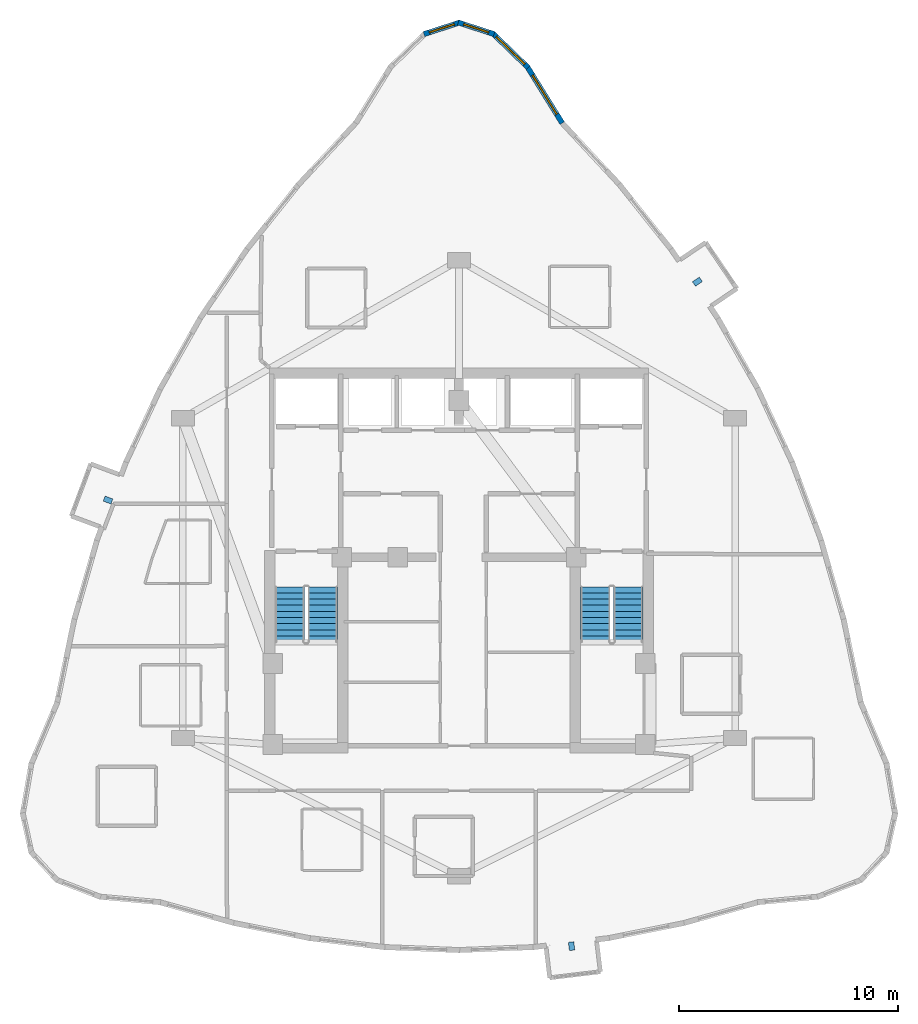
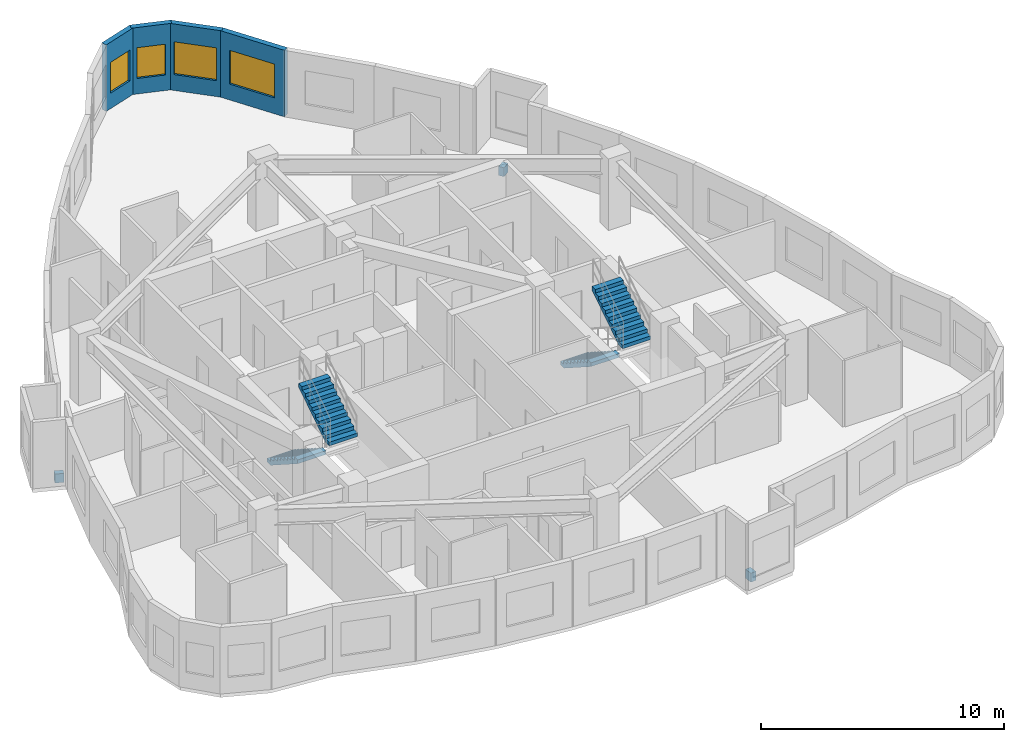
# One storey, part 8 of 9: 4 stair flights, 4 walls, 4 windows, 3 discrete accessories, 4 openings, 2 elements without a shape of their own.
"""IFC4 building model written with IfcOpenShell, lengths in metres."""

import ifcopenshell
import ifcopenshell.guid

model = None  # the IFC model being written
_history = None  # IfcOwnerHistory: only IFC2X3 demands one
_inside = {}  # id of a spatial element -> (the spatial element, [elements in it])
_under = {}  # id of a project, library or spatial element -> (it, [spatial elements below it])
_declared = {}  # id of a project -> (the project, [libraries it declares])
_typed = {}  # id of a type object -> (the type object, [elements of that type])
_made_of = {}  # id of a material, layer set ... -> (it, [elements and type objects made of it])


def new_model(schema):
    """Start an empty IFC model of exactly this schema.

    Asked for "IFC4X3", IfcOpenShell would pick the latest addendum, in which some entities
    have other attributes; the version numbers below select the first issue.
    IFC2X3 requires an IfcOwnerHistory on every rooted entity: one is made here for all.
    """
    global model, _history
    if schema == "IFC4X3":
        model = ifcopenshell.file(schema_version=(4, 3, 0, 0))
    else:
        model = ifcopenshell.file(schema=schema)
    _inside.clear()
    _under.clear()
    _declared.clear()
    _typed.clear()
    _made_of.clear()
    _history = None
    if model.schema == "IFC2X3":
        org = make("IfcOrganization", Name="unknown")
        user = make(
            "IfcPersonAndOrganization",
            ThePerson=make("IfcPerson", FamilyName="unknown"),
            TheOrganization=org,
        )
        app = make(
            "IfcApplication",
            ApplicationDeveloper=org,
            Version="unknown",
            ApplicationFullName="unknown",
            ApplicationIdentifier="unknown",
        )
        _history = make(
            "IfcOwnerHistory",
            OwningUser=user,
            OwningApplication=app,
            ChangeAction="ADDED",
            CreationDate=0,
        )
    return model


def make(cls, **values):
    """One entity of the class cls with the attributes given. An attribute that is None is left unset."""
    return model.create_entity(
        cls, **{name: value for name, value in values.items() if value is not None}
    )


def rooted(cls, **values):
    """An entity with a GlobalId (a new one), such as an element, a storey or a relation."""
    return make(cls, GlobalId=ifcopenshell.guid.new(), OwnerHistory=_history, **values)


def si_unit(unit_type, name, prefix=None):
    """IfcSIUnit, for example si_unit("LENGTHUNIT", "METRE", prefix="MILLI")."""
    return make("IfcSIUnit", UnitType=unit_type, Prefix=prefix, Name=name)


def assignment(units):
    """IfcUnitAssignment: the units of a project."""
    return None if units is None else make("IfcUnitAssignment", Units=units)


def point(xyz):
    """IfcCartesianPoint."""
    return None if xyz is None else make("IfcCartesianPoint", Coordinates=xyz)


def direction(xyz):
    """IfcDirection."""
    return None if xyz is None else make("IfcDirection", DirectionRatios=xyz)


def frame(location, z_axis=None, x_axis=None):
    """IfcAxis2Placement3D, a coordinate frame: its origin and axes. An axis left out is left unset."""
    return make(
        "IfcAxis2Placement3D",
        Location=point(location),
        Axis=direction(z_axis),
        RefDirection=direction(x_axis),
    )


def frame_2d(location, x_axis=None):
    """IfcAxis2Placement2D, a coordinate frame in the plane: its origin and x axis."""
    return make(
        "IfcAxis2Placement2D", Location=point(location), RefDirection=direction(x_axis)
    )


def origin():
    """The frame at (0, 0, 0) with its axes left unset."""
    return frame((0.0, 0.0, 0.0))


def origin_2d():
    """The frame at (0, 0) in the plane with its x axis left unset."""
    return frame_2d((0.0, 0.0))


def place(relative_to, where):
    """IfcLocalPlacement: puts the frame where relative to a parent placement (None: the world)."""
    return make(
        "IfcLocalPlacement", PlacementRelTo=relative_to, RelativePlacement=where
    )


def context(
    kind, dimensions, precision=None, world=None, true_north=None, identifier=None
):
    """IfcGeometricRepresentationContext, for example the 3D "Model" context."""
    return make(
        "IfcGeometricRepresentationContext",
        ContextIdentifier=identifier,
        ContextType=kind,
        CoordinateSpaceDimension=dimensions,
        Precision=precision,
        WorldCoordinateSystem=world,
        TrueNorth=true_north,
    )


def subcontext(parent, identifier, kind, view, scale=None):
    """IfcGeometricRepresentationSubContext, for example "Body" below "Model"."""
    return make(
        "IfcGeometricRepresentationSubContext",
        ContextIdentifier=identifier,
        ContextType=kind,
        ParentContext=parent,
        TargetScale=scale,
        TargetView=view,
    )


def project(units=None, contexts=None):
    """IfcProject with its units and contexts."""
    return rooted(
        "IfcProject",
        Name="project",
        RepresentationContexts=contexts,
        UnitsInContext=assignment(units),
    )


def spatial(cls, under=None, at=None, **own):
    """A site, building, storey or space (cls), placed at a placement, below another one or the project."""
    s = rooted(cls, ObjectPlacement=at, **own)
    if under is not None:
        _under.setdefault(under.id(), (under, []))[1].append(s)
    return s


def polyline(points):
    """IfcPolyline through the points."""
    return make("IfcPolyline", Points=[point(p) for p in points])


def profile(cls, at=None, kind="AREA", **sizes):
    """A parametric profile (cls). Its sizes go by their IFC names, for example OverallWidth=200.0."""
    return make(cls, ProfileType=kind, Position=at, **sizes)


def rectangle(**sizes):
    """IfcRectangleProfileDef."""
    return profile("IfcRectangleProfileDef", **sizes)


def outline(outer, holes=None, kind="AREA"):
    """IfcArbitraryClosedProfileDef: a profile drawn as a closed curve; with holes, ...WithVoids."""
    if holes is None:
        return make("IfcArbitraryClosedProfileDef", ProfileType=kind, OuterCurve=outer)
    return make(
        "IfcArbitraryProfileDefWithVoids",
        ProfileType=kind,
        OuterCurve=outer,
        InnerCurves=holes,
    )


def extrude(swept, where, along, depth):
    """IfcExtrudedAreaSolid: the profile swept, set in the frame where, extruded along a direction by depth."""
    return make(
        "IfcExtrudedAreaSolid",
        SweptArea=swept,
        Position=where,
        ExtrudedDirection=direction(along),
        Depth=depth,
    )


def shape(context_of_items, identifier, shape_type, items):
    """IfcShapeRepresentation: the items that make up one representation, for example the "Body"."""
    return make(
        "IfcShapeRepresentation",
        ContextOfItems=context_of_items,
        RepresentationIdentifier=identifier,
        RepresentationType=shape_type,
        Items=items,
    )


def material(Name=None, Category=None):
    """IfcMaterial."""
    return make("IfcMaterial", Name=Name, Category=Category)


def layer(
    of_material, thickness, ventilated=None, Name=None, Category=None, Priority=None
):
    """IfcMaterialLayer: one layer of a wall or slab, of a material (None: an air gap)."""
    return make(
        "IfcMaterialLayer",
        Material=of_material,
        LayerThickness=thickness,
        IsVentilated=ventilated,
        Name=Name,
        Category=Category,
        Priority=Priority,
    )


def layer_set(layers, Name=None):
    """IfcMaterialLayerSet."""
    return make("IfcMaterialLayerSet", MaterialLayers=layers, LayerSetName=Name)


def made_of(thing, what):
    """Note that an element or type object is made of a material, layer set ...; save() writes the relation."""
    if what is not None:
        _made_of.setdefault(what.id(), (what, []))[1].append(thing)
    return thing


def type_object(cls, material=None, **own):
    """A type object (cls), such as IfcWallType, which elements share."""
    return made_of(rooted(cls, **own), material)


def element(
    cls,
    number,
    at=None,
    inside=None,
    cuts=None,
    type_object=None,
    material=None,
    context=None,
    identifier="Body",
    shape_type=None,
    held_by="IfcProductDefinitionShape",
    body=None,
    shapes=None,
    **own,
):
    """One element of the class cls, such as IfcWall. Its Tag is "e" and its number.

    at: its placement. inside: the storey or other place that contains it. cuts: it is an
    opening in that element (IfcRelVoidsElement). A single representation is given by context,
    identifier, shape_type and body (its items); several are given by shapes. held_by: the class
    of the entity that holds the representations. save() writes the other relations.
    """
    e = rooted(cls, Tag="e%d" % number, ObjectPlacement=at, **own)
    if body is not None:
        shapes = [shape(context, identifier, shape_type, body)]
    if shapes is not None:
        e.Representation = make(held_by, Representations=shapes)
    if inside is not None:
        _inside.setdefault(inside.id(), (inside, []))[1].append(e)
    if cuts is not None:
        rooted(
            "IfcRelVoidsElement", RelatingBuildingElement=cuts, RelatedOpeningElement=e
        )
    if type_object is not None:
        _typed.setdefault(type_object.id(), (type_object, []))[1].append(e)
    return made_of(e, material)


def fill(opening, filler):
    """IfcRelFillsElement: the door or window that sits in an opening."""
    return rooted(
        "IfcRelFillsElement",
        RelatingOpeningElement=opening,
        RelatedBuildingElement=filler,
    )


def aggregate(whole, parts):
    """IfcRelAggregates: a whole, such as a stair, and the parts it consists of."""
    return rooted("IfcRelAggregates", RelatingObject=whole, RelatedObjects=parts)


def save(model, path):
    """Write the relations noted so far, then the file.

    IfcRelAggregates (storeys below a building ...), IfcRelContainedInSpatialStructure (elements
    in a storey), IfcRelDefinesByType, IfcRelAssociatesMaterial and IfcRelDeclares: one each for
    every whole, place, type object, material and project.
    """
    for whole, parts in _under.values():
        aggregate(whole, parts)
    for where, things in _inside.values():
        rooted(
            "IfcRelContainedInSpatialStructure",
            RelatedElements=things,
            RelatingStructure=where,
        )
    for kind, things in _typed.values():
        rooted("IfcRelDefinesByType", RelatedObjects=things, RelatingType=kind)
    for what, things in _made_of.values():
        rooted("IfcRelAssociatesMaterial", RelatedObjects=things, RelatingMaterial=what)
    for by, libraries in _declared.values():
        rooted("IfcRelDeclares", RelatingContext=by, RelatedDefinitions=libraries)
    model.write(path)


model = new_model("IFC4")

# Units and contexts
model_context = context("Model", 3, precision=1e-05, world=origin(), true_north=direction((0.0, 1.0)))
body_context = subcontext(model_context, "Body", "Model", "MODEL_VIEW")
ifc_project = project(units=[si_unit("LENGTHUNIT", "METRE"), si_unit("AREAUNIT", "SQUARE_METRE"), si_unit("VOLUMEUNIT", "CUBIC_METRE"), si_unit("PLANEANGLEUNIT", "RADIAN"), si_unit("MASSUNIT", "GRAM", prefix="KILO")], contexts=[model_context])

# Site, building, storey
site_placement = place(None, origin())
site = spatial("IfcSite", under=ifc_project, at=site_placement, CompositionType="ELEMENT")
building_placement = place(site_placement, origin())
building = spatial("IfcBuilding", under=site, at=building_placement, Name="Miruveldt Soraemaru", CompositionType="ELEMENT")
storey_placement = place(building_placement, frame((0.0, 0.0, 244.800048828125)))
storey = spatial("IfcBuildingStorey", under=building, at=storey_placement, Name="L67", CompositionType="ELEMENT", Elevation=244.800048828125)

# Wall, opening, window
ifc_material_1 = material(Name="Precast concrete C45/55 (45 MPa)", Category="concrete")
ifc_layer = layer(ifc_material_1, 0.239990234375, Name="Precast concrete C45/55 (45 MPa)", Category="concrete")
ifc_layer_set = layer_set([ifc_layer], Name="Precast concrete C45/55 (45 MPa)")
wall_type = type_object("IfcWallType", Name="WALL-EXT-PC240", PredefinedType="SOLIDWALL", material=ifc_layer_set)
wall_1_placement = place(storey_placement, frame((48.7109375, 63.859375, 0.0), z_axis=(0.0, 0.0, 1.0), x_axis=(-0.526092225985, 0.850427521755, 0.0)))
wall_1 = element("IfcWall", 1, at=wall_1_placement, inside=storey, type_object=wall_type, Name="L67 Precast Concrete Facade Wall 1", PredefinedType="SOLIDWALL", context=body_context, shape_type="SweptSolid", body=[
    extrude(rectangle(XDim=3.043212890625, YDim=0.239990234375, at=frame_2d((1.521484375, 0.0))), origin(), (0.0, 0.0, 1.0), 3.344970703125),
])
opening_1_placement = place(wall_1_placement, frame((0.471923828125, 0.0, 0.800048828125)))
opening_1 = element("IfcOpeningElement", 2, at=opening_1_placement, cuts=wall_1, Name="Opening WN-1", PredefinedType="OPENING", context=body_context, shape_type="SweptSolid", body=[
    extrude(rectangle(XDim=2.10009765625, YDim=1.699951171875, at=frame_2d((1.050048828125, 0.85009765625))), frame((0.0, 0.1298828125, 0.0), z_axis=(0.0, -1.0, 0.0), x_axis=(1.0, 0.0, 0.0)), (0.0, 0.0, 1.0), 0.260009765625),
])
ifc_material_2 = material(Name="Triple low-e insulated glazing", Category="glass")
window_type_1 = type_object("IfcWindowType", Name="WIN-PUNCH-2100x1700", PartitioningType="SINGLE_PANEL", PredefinedType="WINDOW", material=ifc_material_2)
window_1_placement = place(opening_1_placement, origin())
window_1 = element("IfcWindow", 3, at=window_1_placement, inside=storey, type_object=window_type_1, Name="L67 Punched Triple-Glazed Window 01.1", OverallHeight=1.699951171875, OverallWidth=2.10009765625, PartitioningType="SINGLE_PANEL", PredefinedType="WINDOW", context=body_context, shape_type="SweptSolid", body=[
    extrude(rectangle(XDim=2.10009765625, YDim=1.699951171875, at=frame_2d((1.050048828125, 0.85009765625))), frame((0.0, 0.030029296875, 0.0), z_axis=(0.0, -1.0, 0.0), x_axis=(1.0, 0.0, 0.0)), (0.0, 0.0, 1.0), 0.06005859375),
])
fill(opening_1, window_1)

wall_2_placement = place(storey_placement, frame((47.1533203125, 66.393310546875, 0.0), z_axis=(0.0, 0.0, 1.0), x_axis=(-0.717772148555, 0.696278064252, 0.0)))
wall_2 = element("IfcWall", 4, at=wall_2_placement, inside=storey, type_object=wall_type, Name="L67 Precast Concrete Facade Wall 2", PredefinedType="SOLIDWALL", context=body_context, shape_type="SweptSolid", body=[
    extrude(rectangle(XDim=2.2490234375, YDim=0.239990234375, at=frame_2d((1.12451171875, 0.0))), origin(), (0.0, 0.0, 1.0), 3.344970703125),
])
opening_2_placement = place(wall_2_placement, frame((0.22509765625, 0.0, 0.800048828125)))
opening_2 = element("IfcOpeningElement", 5, at=opening_2_placement, cuts=wall_2, Name="Opening WN-2", PredefinedType="OPENING", context=body_context, shape_type="SweptSolid", body=[
    extrude(rectangle(XDim=1.800048828125, YDim=1.64990234375, at=frame_2d((0.89990234375, 0.824951171875))), frame((0.0, 0.1298828125, 0.0), z_axis=(0.0, -1.0, 0.0), x_axis=(1.0, 0.0, 0.0)), (0.0, 0.0, 1.0), 0.260009765625),
])
window_type_2 = type_object("IfcWindowType", Name="WIN-PUNCH-1800x1650", PartitioningType="SINGLE_PANEL", PredefinedType="WINDOW", material=ifc_material_2)
window_2_placement = place(opening_2_placement, origin())
window_2 = element("IfcWindow", 6, at=window_2_placement, inside=storey, type_object=window_type_2, Name="L67 Punched Triple-Glazed Window 02.1", OverallHeight=1.64990234375, OverallWidth=1.800048828125, PartitioningType="SINGLE_PANEL", PredefinedType="WINDOW", context=body_context, shape_type="SweptSolid", body=[
    extrude(rectangle(XDim=1.800048828125, YDim=1.64990234375, at=frame_2d((0.89990234375, 0.824951171875))), frame((0.0, 0.030029296875, 0.0), z_axis=(0.0, -1.0, 0.0), x_axis=(1.0, 0.0, 0.0)), (0.0, 0.0, 1.0), 0.06005859375),
])
fill(opening_2, window_2)

wall_3_placement = place(storey_placement, frame((45.597412109375, 67.924072265625, 0.0), z_axis=(0.0, 0.0, 1.0), x_axis=(-0.951480098924, 0.307710288018, 0.0)))
wall_3 = element("IfcWall", 7, at=wall_3_placement, inside=storey, type_object=wall_type, Name="L67 Precast Concrete Facade Wall 3", PredefinedType="SOLIDWALL", context=body_context, shape_type="SweptSolid", body=[
    extrude(rectangle(XDim=1.7138671875, YDim=0.239990234375, at=frame_2d((0.85693359375, 0.0))), origin(), (0.0, 0.0, 1.0), 3.344970703125),
])
opening_3_placement = place(wall_3_placement, frame((0.257080078125, 0.0, 0.780029296875)))
opening_3 = element("IfcOpeningElement", 8, at=opening_3_placement, cuts=wall_3, Name="Opening WN-4", PredefinedType="OPENING", context=body_context, shape_type="SweptSolid", body=[
    extrude(rectangle(XDim=1.199951171875, YDim=1.550048828125, at=frame_2d((0.60009765625, 0.77490234375))), frame((0.0, 0.1298828125, 0.0), z_axis=(0.0, -1.0, 0.0), x_axis=(1.0, 0.0, 0.0)), (0.0, 0.0, 1.0), 0.260009765625),
])
window_type_3 = type_object("IfcWindowType", Name="WIN-PUNCH-1200x1550", PartitioningType="SINGLE_PANEL", PredefinedType="WINDOW", material=ifc_material_2)
window_3_placement = place(opening_3_placement, origin())
window_3 = element("IfcWindow", 9, at=window_3_placement, inside=storey, type_object=window_type_3, Name="L67 Punched Triple-Glazed Window 03.1", OverallHeight=1.550048828125, OverallWidth=1.199951171875, PartitioningType="SINGLE_PANEL", PredefinedType="WINDOW", context=body_context, shape_type="SweptSolid", body=[
    extrude(rectangle(XDim=1.199951171875, YDim=1.550048828125, at=frame_2d((0.60009765625, 0.77490234375))), frame((0.0, 0.030029296875, 0.0), z_axis=(0.0, -1.0, 0.0), x_axis=(1.0, 0.0, 0.0)), (0.0, 0.0, 1.0), 0.06005859375),
])
fill(opening_3, window_3)

wall_4_placement = place(storey_placement, frame((44.033203125, 68.451416015625, 0.0), z_axis=(0.0, 0.0, 1.0), x_axis=(-0.951480098924, -0.307710288018, 0.0)))
wall_4 = element("IfcWall", 10, at=wall_4_placement, inside=storey, type_object=wall_type, Name="L67 Precast Concrete Facade Wall 4", PredefinedType="SOLIDWALL", context=body_context, shape_type="SweptSolid", body=[
    extrude(rectangle(XDim=1.7138671875, YDim=0.239990234375, at=frame_2d((0.85693359375, 0.0))), origin(), (0.0, 0.0, 1.0), 3.344970703125),
])
opening_4_placement = place(wall_4_placement, frame((0.257080078125, 0.0, 0.780029296875)))
opening_4 = element("IfcOpeningElement", 11, at=opening_4_placement, cuts=wall_4, Name="Opening WN-4", PredefinedType="OPENING", context=body_context, shape_type="SweptSolid", body=[
    extrude(rectangle(XDim=1.199951171875, YDim=1.550048828125, at=frame_2d((0.60009765625, 0.77490234375))), frame((0.0, 0.1298828125, 0.0), z_axis=(0.0, -1.0, 0.0), x_axis=(1.0, 0.0, 0.0)), (0.0, 0.0, 1.0), 0.260009765625),
])
window_4_placement = place(opening_4_placement, origin())
window_4 = element("IfcWindow", 12, at=window_4_placement, inside=storey, type_object=window_type_3, Name="L67 Punched Triple-Glazed Window 04.1", OverallHeight=1.550048828125, OverallWidth=1.199951171875, PartitioningType="SINGLE_PANEL", PredefinedType="WINDOW", context=body_context, shape_type="SweptSolid", body=[
    extrude(rectangle(XDim=1.199951171875, YDim=1.550048828125, at=frame_2d((0.60009765625, 0.77490234375))), frame((0.0, 0.030029296875, 0.0), z_axis=(0.0, -1.0, 0.0), x_axis=(1.0, 0.0, 0.0)), (0.0, 0.0, 1.0), 0.06005859375),
])
fill(opening_4, window_4)

# Stair, stair flights
ifc_material_3 = material(Name="Concrete C40/50 (40 MPa)", Category="concrete")
stair_type = type_object("IfcStairType", Name="STAIR-DL-360", PredefinedType="HALF_TURN_STAIR", material=ifc_material_3)
stair_1_placement = place(storey_placement, origin())
stair_1 = element("IfcStair", 13, at=stair_1_placement, inside=storey, type_object=stair_type, Name="L67 Protected Exit Stair ST-1", PredefinedType="HALF_TURN_STAIR")
stair_flight_type = type_object("IfcStairFlightType", Name="SFL-DL-360", PredefinedType="STRAIGHT", material=ifc_material_3)
stair_flight_1_placement = place(storey_placement, frame((36.27490234375, 42.699951171875, 0.0), z_axis=(0.0, 0.0, 1.0), x_axis=(0.0, -1.0, 0.0)))
stair_flight_1 = element("IfcStairFlight", 14, at=stair_flight_1_placement, type_object=stair_flight_type, Name="ST-1 flight 1", NumberOfRisers=10, NumberOfTreads=9, PredefinedType="STRAIGHT", RiserHeight=0.18, TreadLength=0.28, context=body_context, shape_type="SweptSolid", body=[
    extrude(outline(polyline([(0.0, 0.0), (0.0, 0.179931640625), (0.280029296875, 0.179931640625), (0.280029296875, 0.360107421875), (0.56005859375, 0.360107421875), (0.56005859375, 0.5400390625), (0.840087890625, 0.5400390625), (0.840087890625, 0.719970703125), (1.1201171875, 0.719970703125), (1.1201171875, 0.89990234375), (1.39990234375, 0.89990234375), (1.39990234375, 1.080078125), (1.679931640625, 1.080078125), (1.679931640625, 1.260009765625), (1.9599609375, 1.260009765625), (1.9599609375, 1.43994140625), (2.239990234375, 1.43994140625), (2.239990234375, 1.6201171875), (2.52001953125, 1.6201171875), (2.52001953125, 1.800048828125), (2.52001953125, 1.429931640625), (0.295654296875, 0.0), (0.0, 0.0)])), frame((0.0, 0.675048828125, 0.0), z_axis=(0.0, -1.0, 0.0), x_axis=(1.0, 0.0, 0.0)), (0.0, 0.0, 1.0), 1.35009765625),
])
stair_flight_2_placement = place(storey_placement, frame((37.77490234375, 40.179931640625, 1.800048828125), z_axis=(0.0, 0.0, 1.0), x_axis=(0.0, 1.0, 0.0)))
stair_flight_2 = element("IfcStairFlight", 15, at=stair_flight_2_placement, type_object=stair_flight_type, Name="ST-1 flight 2", NumberOfRisers=10, NumberOfTreads=9, PredefinedType="STRAIGHT", RiserHeight=0.18, TreadLength=0.28, context=body_context, shape_type="SweptSolid", body=[
    extrude(outline(polyline([(0.0, 0.0), (0.0, 0.179931640625), (0.280029296875, 0.179931640625), (0.280029296875, 0.360107421875), (0.56005859375, 0.360107421875), (0.56005859375, 0.5400390625), (0.840087890625, 0.5400390625), (0.840087890625, 0.719970703125), (1.1201171875, 0.719970703125), (1.1201171875, 0.89990234375), (1.39990234375, 0.89990234375), (1.39990234375, 1.080078125), (1.679931640625, 1.080078125), (1.679931640625, 1.260009765625), (1.9599609375, 1.260009765625), (1.9599609375, 1.43994140625), (2.239990234375, 1.43994140625), (2.239990234375, 1.6201171875), (2.52001953125, 1.6201171875), (2.52001953125, 1.800048828125), (2.52001953125, 1.429931640625), (0.295654296875, 0.0), (0.0, 0.0)])), frame((0.0, 0.675048828125, 0.0), z_axis=(0.0, -1.0, 0.0), x_axis=(1.0, 0.0, 0.0)), (0.0, 0.0, 1.0), 1.35009765625),
])
aggregate(stair_1, [stair_flight_1, stair_flight_2])

stair_2_placement = place(storey_placement, origin())
stair_2 = element("IfcStair", 16, at=stair_2_placement, inside=storey, type_object=stair_type, Name="L67 Protected Exit Stair ST-2", PredefinedType="HALF_TURN_STAIR")
stair_flight_3_placement = place(storey_placement, frame((50.22509765625, 42.699951171875, 0.0), z_axis=(0.0, 0.0, 1.0), x_axis=(0.0, -1.0, 0.0)))
stair_flight_3 = element("IfcStairFlight", 17, at=stair_flight_3_placement, type_object=stair_flight_type, Name="ST-2 flight 1", NumberOfRisers=10, NumberOfTreads=9, PredefinedType="STRAIGHT", RiserHeight=0.18, TreadLength=0.28, context=body_context, shape_type="SweptSolid", body=[
    extrude(outline(polyline([(0.0, 0.0), (0.0, 0.179931640625), (0.280029296875, 0.179931640625), (0.280029296875, 0.360107421875), (0.56005859375, 0.360107421875), (0.56005859375, 0.5400390625), (0.840087890625, 0.5400390625), (0.840087890625, 0.719970703125), (1.1201171875, 0.719970703125), (1.1201171875, 0.89990234375), (1.39990234375, 0.89990234375), (1.39990234375, 1.080078125), (1.679931640625, 1.080078125), (1.679931640625, 1.260009765625), (1.9599609375, 1.260009765625), (1.9599609375, 1.43994140625), (2.239990234375, 1.43994140625), (2.239990234375, 1.6201171875), (2.52001953125, 1.6201171875), (2.52001953125, 1.800048828125), (2.52001953125, 1.429931640625), (0.295654296875, 0.0), (0.0, 0.0)])), frame((0.0, 0.675048828125, 0.0), z_axis=(0.0, -1.0, 0.0), x_axis=(1.0, 0.0, 0.0)), (0.0, 0.0, 1.0), 1.35009765625),
])
stair_flight_4_placement = place(storey_placement, frame((51.72509765625, 40.179931640625, 1.800048828125), z_axis=(0.0, 0.0, 1.0), x_axis=(0.0, 1.0, 0.0)))
stair_flight_4 = element("IfcStairFlight", 18, at=stair_flight_4_placement, type_object=stair_flight_type, Name="ST-2 flight 2", NumberOfRisers=10, NumberOfTreads=9, PredefinedType="STRAIGHT", RiserHeight=0.18, TreadLength=0.28, context=body_context, shape_type="SweptSolid", body=[
    extrude(outline(polyline([(0.0, 0.0), (0.0, 0.179931640625), (0.280029296875, 0.179931640625), (0.280029296875, 0.360107421875), (0.56005859375, 0.360107421875), (0.56005859375, 0.5400390625), (0.840087890625, 0.5400390625), (0.840087890625, 0.719970703125), (1.1201171875, 0.719970703125), (1.1201171875, 0.89990234375), (1.39990234375, 0.89990234375), (1.39990234375, 1.080078125), (1.679931640625, 1.080078125), (1.679931640625, 1.260009765625), (1.9599609375, 1.260009765625), (1.9599609375, 1.43994140625), (2.239990234375, 1.43994140625), (2.239990234375, 1.6201171875), (2.52001953125, 1.6201171875), (2.52001953125, 1.800048828125), (2.52001953125, 1.429931640625), (0.295654296875, 0.0), (0.0, 0.0)])), frame((0.0, 0.675048828125, 0.0), z_axis=(0.0, -1.0, 0.0), x_axis=(1.0, 0.0, 0.0)), (0.0, 0.0, 1.0), 1.35009765625),
])
aggregate(stair_2, [stair_flight_3, stair_flight_4])

# Discrete accessories
ifc_material_4 = material(Name="Steel SM355 (355 MPa)", Category="steel")
discrete_accessory_type = type_object("IfcDiscreteAccessoryType", Name="ACC-BAY-BRK", PredefinedType="BRACKET", material=ifc_material_4)
for number, where, z_axis, x_axis, name in (
    (19, (27.98486328125, 46.659912109375, -0.7001953125), (0.0, 0.0, 1.0), (-0.93711153314, 0.349030048069, 0.0), "L67 Bay Window Cantilever Bracket 1"),
    (20, (49.13818359375, 26.30224609375, -0.7001953125), (0.0, 0.0, 1.0), (0.119131818163, -0.99287844669, 0.0), "L67 Bay Window Cantilever Bracket 2"),
    (21, (54.87841796875, 56.62451171875, -0.7001953125), (0.0, 0.0, 1.0), (0.827923319955, 0.560841311134, 0.0), "L67 Bay Window Cantilever Bracket 3"),
):
    element("IfcDiscreteAccessory", number, at=place(storey_placement, frame(where, z_axis=z_axis, x_axis=x_axis)), inside=storey, type_object=discrete_accessory_type, Name=name, PredefinedType="BRACKET", context=body_context, shape_type="SweptSolid", body=[
        extrude(rectangle(XDim=0.3798828125, YDim=0.25, at=origin_2d()), origin(), (0.0, 0.0, 1.0), 0.449951171875),
    ])

save(model, "model.ifc")
